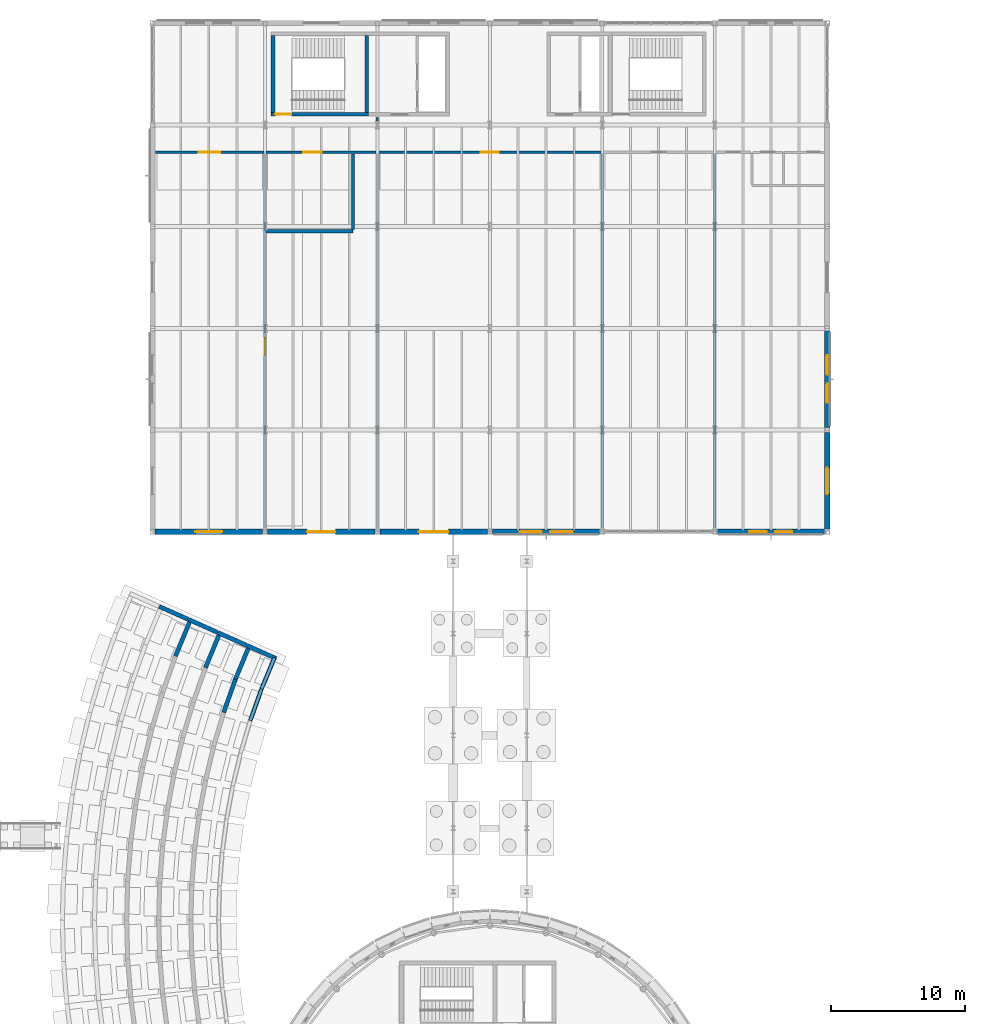
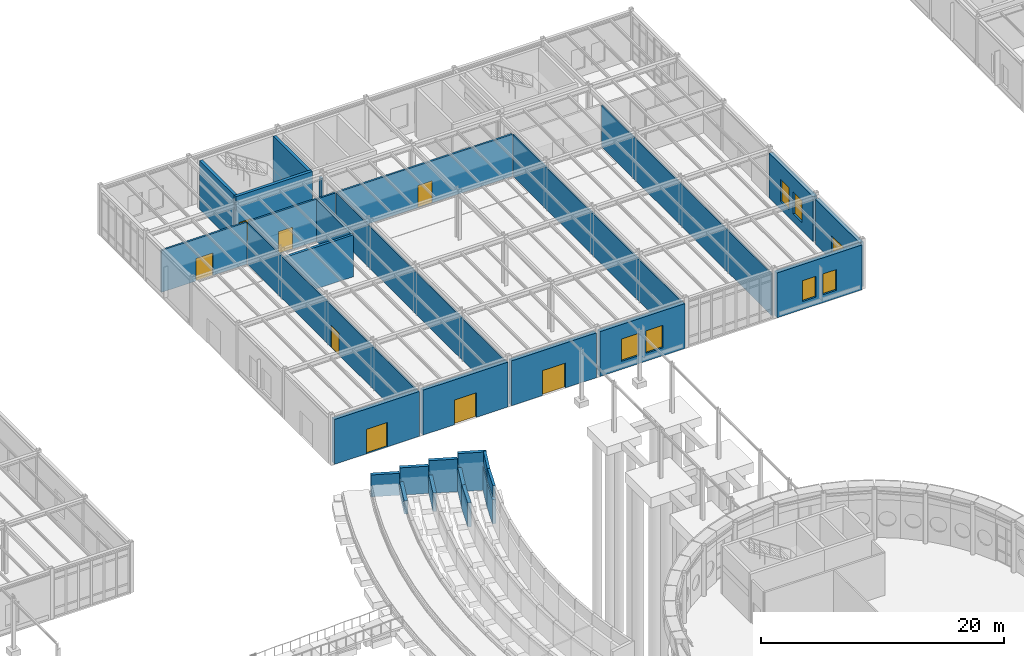
# One storey, part 88 of 109: 32 walls, 9 doors, 6 windows, 15 openings.
"""IFC4 building model written with IfcOpenShell, lengths in metres."""

import ifcopenshell
import ifcopenshell.guid

model = None  # the IFC model being written
_history = None  # IfcOwnerHistory: only IFC2X3 demands one
_inside = {}  # id of a spatial element -> (the spatial element, [elements in it])
_under = {}  # id of a project, library or spatial element -> (it, [spatial elements below it])
_declared = {}  # id of a project -> (the project, [libraries it declares])
_typed = {}  # id of a type object -> (the type object, [elements of that type])
_made_of = {}  # id of a material, layer set ... -> (it, [elements and type objects made of it])


def new_model(schema):
    """Start an empty IFC model of exactly this schema.

    Asked for "IFC4X3", IfcOpenShell would pick the latest addendum, in which some entities
    have other attributes; the version numbers below select the first issue.
    IFC2X3 requires an IfcOwnerHistory on every rooted entity: one is made here for all.
    """
    global model, _history
    if schema == "IFC4X3":
        model = ifcopenshell.file(schema_version=(4, 3, 0, 0))
    else:
        model = ifcopenshell.file(schema=schema)
    _inside.clear()
    _under.clear()
    _declared.clear()
    _typed.clear()
    _made_of.clear()
    _history = None
    if model.schema == "IFC2X3":
        org = make("IfcOrganization", Name="unknown")
        user = make(
            "IfcPersonAndOrganization",
            ThePerson=make("IfcPerson", FamilyName="unknown"),
            TheOrganization=org,
        )
        app = make(
            "IfcApplication",
            ApplicationDeveloper=org,
            Version="unknown",
            ApplicationFullName="unknown",
            ApplicationIdentifier="unknown",
        )
        _history = make(
            "IfcOwnerHistory",
            OwningUser=user,
            OwningApplication=app,
            ChangeAction="ADDED",
            CreationDate=0,
        )
    return model


def make(cls, **values):
    """One entity of the class cls with the attributes given. An attribute that is None is left unset."""
    return model.create_entity(
        cls, **{name: value for name, value in values.items() if value is not None}
    )


def rooted(cls, **values):
    """An entity with a GlobalId (a new one), such as an element, a storey or a relation."""
    return make(cls, GlobalId=ifcopenshell.guid.new(), OwnerHistory=_history, **values)


def si_unit(unit_type, name, prefix=None):
    """IfcSIUnit, for example si_unit("LENGTHUNIT", "METRE", prefix="MILLI")."""
    return make("IfcSIUnit", UnitType=unit_type, Prefix=prefix, Name=name)


def assignment(units):
    """IfcUnitAssignment: the units of a project."""
    return None if units is None else make("IfcUnitAssignment", Units=units)


def point(xyz):
    """IfcCartesianPoint."""
    return None if xyz is None else make("IfcCartesianPoint", Coordinates=xyz)


def direction(xyz):
    """IfcDirection."""
    return None if xyz is None else make("IfcDirection", DirectionRatios=xyz)


def frame(location, z_axis=None, x_axis=None):
    """IfcAxis2Placement3D, a coordinate frame: its origin and axes. An axis left out is left unset."""
    return make(
        "IfcAxis2Placement3D",
        Location=point(location),
        Axis=direction(z_axis),
        RefDirection=direction(x_axis),
    )


def frame_2d(location, x_axis=None):
    """IfcAxis2Placement2D, a coordinate frame in the plane: its origin and x axis."""
    return make(
        "IfcAxis2Placement2D", Location=point(location), RefDirection=direction(x_axis)
    )


def origin():
    """The frame at (0, 0, 0) with its axes left unset."""
    return frame((0.0, 0.0, 0.0))


def place(relative_to, where):
    """IfcLocalPlacement: puts the frame where relative to a parent placement (None: the world)."""
    return make(
        "IfcLocalPlacement", PlacementRelTo=relative_to, RelativePlacement=where
    )


def context(
    kind, dimensions, precision=None, world=None, true_north=None, identifier=None
):
    """IfcGeometricRepresentationContext, for example the 3D "Model" context."""
    return make(
        "IfcGeometricRepresentationContext",
        ContextIdentifier=identifier,
        ContextType=kind,
        CoordinateSpaceDimension=dimensions,
        Precision=precision,
        WorldCoordinateSystem=world,
        TrueNorth=true_north,
    )


def subcontext(parent, identifier, kind, view, scale=None):
    """IfcGeometricRepresentationSubContext, for example "Body" below "Model"."""
    return make(
        "IfcGeometricRepresentationSubContext",
        ContextIdentifier=identifier,
        ContextType=kind,
        ParentContext=parent,
        TargetScale=scale,
        TargetView=view,
    )


def project(units=None, contexts=None):
    """IfcProject with its units and contexts."""
    return rooted(
        "IfcProject",
        Name="project",
        RepresentationContexts=contexts,
        UnitsInContext=assignment(units),
    )


def spatial(cls, under=None, at=None, **own):
    """A site, building, storey or space (cls), placed at a placement, below another one or the project."""
    s = rooted(cls, ObjectPlacement=at, **own)
    if under is not None:
        _under.setdefault(under.id(), (under, []))[1].append(s)
    return s


def profile(cls, at=None, kind="AREA", **sizes):
    """A parametric profile (cls). Its sizes go by their IFC names, for example OverallWidth=200.0."""
    return make(cls, ProfileType=kind, Position=at, **sizes)


def rectangle(**sizes):
    """IfcRectangleProfileDef."""
    return profile("IfcRectangleProfileDef", **sizes)


def extrude(swept, where, along, depth):
    """IfcExtrudedAreaSolid: the profile swept, set in the frame where, extruded along a direction by depth."""
    return make(
        "IfcExtrudedAreaSolid",
        SweptArea=swept,
        Position=where,
        ExtrudedDirection=direction(along),
        Depth=depth,
    )


def shape(context_of_items, identifier, shape_type, items):
    """IfcShapeRepresentation: the items that make up one representation, for example the "Body"."""
    return make(
        "IfcShapeRepresentation",
        ContextOfItems=context_of_items,
        RepresentationIdentifier=identifier,
        RepresentationType=shape_type,
        Items=items,
    )


def material(Name=None, Category=None):
    """IfcMaterial."""
    return make("IfcMaterial", Name=Name, Category=Category)


def layer(
    of_material, thickness, ventilated=None, Name=None, Category=None, Priority=None
):
    """IfcMaterialLayer: one layer of a wall or slab, of a material (None: an air gap)."""
    return make(
        "IfcMaterialLayer",
        Material=of_material,
        LayerThickness=thickness,
        IsVentilated=ventilated,
        Name=Name,
        Category=Category,
        Priority=Priority,
    )


def layer_set(layers, Name=None):
    """IfcMaterialLayerSet."""
    return make("IfcMaterialLayerSet", MaterialLayers=layers, LayerSetName=Name)


def made_of(thing, what):
    """Note that an element or type object is made of a material, layer set ...; save() writes the relation."""
    if what is not None:
        _made_of.setdefault(what.id(), (what, []))[1].append(thing)
    return thing


def type_object(cls, material=None, **own):
    """A type object (cls), such as IfcWallType, which elements share."""
    return made_of(rooted(cls, **own), material)


def element(
    cls,
    number,
    at=None,
    inside=None,
    cuts=None,
    type_object=None,
    material=None,
    context=None,
    identifier="Body",
    shape_type=None,
    held_by="IfcProductDefinitionShape",
    body=None,
    shapes=None,
    **own,
):
    """One element of the class cls, such as IfcWall. Its Tag is "e" and its number.

    at: its placement. inside: the storey or other place that contains it. cuts: it is an
    opening in that element (IfcRelVoidsElement). A single representation is given by context,
    identifier, shape_type and body (its items); several are given by shapes. held_by: the class
    of the entity that holds the representations. save() writes the other relations.
    """
    e = rooted(cls, Tag="e%d" % number, ObjectPlacement=at, **own)
    if body is not None:
        shapes = [shape(context, identifier, shape_type, body)]
    if shapes is not None:
        e.Representation = make(held_by, Representations=shapes)
    if inside is not None:
        _inside.setdefault(inside.id(), (inside, []))[1].append(e)
    if cuts is not None:
        rooted(
            "IfcRelVoidsElement", RelatingBuildingElement=cuts, RelatedOpeningElement=e
        )
    if type_object is not None:
        _typed.setdefault(type_object.id(), (type_object, []))[1].append(e)
    return made_of(e, material)


def fill(opening, filler):
    """IfcRelFillsElement: the door or window that sits in an opening."""
    return rooted(
        "IfcRelFillsElement",
        RelatingOpeningElement=opening,
        RelatedBuildingElement=filler,
    )


def aggregate(whole, parts):
    """IfcRelAggregates: a whole, such as a stair, and the parts it consists of."""
    return rooted("IfcRelAggregates", RelatingObject=whole, RelatedObjects=parts)


def save(model, path):
    """Write the relations noted so far, then the file.

    IfcRelAggregates (storeys below a building ...), IfcRelContainedInSpatialStructure (elements
    in a storey), IfcRelDefinesByType, IfcRelAssociatesMaterial and IfcRelDeclares: one each for
    every whole, place, type object, material and project.
    """
    for whole, parts in _under.values():
        aggregate(whole, parts)
    for where, things in _inside.values():
        rooted(
            "IfcRelContainedInSpatialStructure",
            RelatedElements=things,
            RelatingStructure=where,
        )
    for kind, things in _typed.values():
        rooted("IfcRelDefinesByType", RelatedObjects=things, RelatingType=kind)
    for what, things in _made_of.values():
        rooted("IfcRelAssociatesMaterial", RelatedObjects=things, RelatingMaterial=what)
    for by, libraries in _declared.values():
        rooted("IfcRelDeclares", RelatingContext=by, RelatedDefinitions=libraries)
    model.write(path)


model = new_model("IFC4")

# Units and contexts
model_context = context("Model", 3, precision=1e-05, world=origin(), true_north=direction((0.0, 1.0)))
body_context = subcontext(model_context, "Body", "Model", "MODEL_VIEW")
ifc_project = project(units=[si_unit("LENGTHUNIT", "METRE"), si_unit("AREAUNIT", "SQUARE_METRE"), si_unit("VOLUMEUNIT", "CUBIC_METRE"), si_unit("PLANEANGLEUNIT", "RADIAN"), si_unit("MASSUNIT", "GRAM", prefix="KILO")], contexts=[model_context])

# Site, building, storey
site_placement = place(None, origin())
site = spatial("IfcSite", under=ifc_project, at=site_placement, CompositionType="ELEMENT")
building_placement = place(site_placement, origin())
building = spatial("IfcBuilding", under=site, at=building_placement, Name="Montecoro Central Library", CompositionType="ELEMENT")
storey_placement = place(building_placement, origin())
storey = spatial("IfcBuildingStorey", under=building, at=storey_placement, Name="L00", CompositionType="ELEMENT", Elevation=0.0)

# Walls
ifc_material_1 = material(Name="White Roman travertine stone clad concrete C32/40", Category="masonry")
ifc_layer_1 = layer(ifc_material_1, 0.235107421875)
ifc_layer_set_1 = layer_set([ifc_layer_1], Name="White Roman travertine stone clad concrete C32/40")
wall_type_1 = type_object("IfcWallType", Name="EW-PAR-235", PredefinedType="PARAPET", material=ifc_layer_set_1)
wall_1_placement = place(storey_placement, frame((75.50390625, 71.587890625, 2.699951171875), z_axis=(0.0, 0.0, 1.0), x_axis=(-0.382750955774, -0.923851560508, 0.0)))
element("IfcWall", 1, at=wall_1_placement, inside=storey, type_object=wall_type_1, Name="V1-STEP-IPAR-01", PredefinedType="PARAPET", context=body_context, shape_type="SweptSolid", body=[
    extrude(rectangle(XDim=2.520751953125, YDim=0.235107421875, at=frame_2d((1.26025390625, 0.0))), origin(), (0.0, 0.0, 1.0), 1.1201171875),
])
wall_2_placement = place(storey_placement, frame((74.5390625, 69.259033203125, 2.699951171875), z_axis=(0.0, 0.0, 1.0), x_axis=(-0.333918829273, -0.942601832937, 0.0)))
element("IfcWall", 2, at=wall_2_placement, inside=storey, type_object=wall_type_1, Name="V1-STEP-IPAR-02", PredefinedType="PARAPET", context=body_context, shape_type="SweptSolid", body=[
    extrude(rectangle(XDim=2.521728515625, YDim=0.235107421875, at=frame_2d((1.2607421875, 0.0))), origin(), (0.0, 0.0, 1.0), 1.1201171875),
])

# Wall, opening, door
ifc_material_2 = material(Name="Dark piperno stone clad concrete C35/45", Category="masonry")
ifc_layer_2 = layer(ifc_material_2, 0.385009765625)
ifc_layer_set_2 = layer_set([ifc_layer_2], Name="Dark piperno stone clad concrete C35/45")
wall_type_2 = type_object("IfcWallType", Name="EW-PIP-385", PredefinedType="SOLIDWALL", material=ifc_layer_set_2)
wall_3_placement = place(storey_placement, frame((66.577880859375, 81.0, 0.0), z_axis=(0.0, 0.0, 1.0), x_axis=(1.0, 0.0, 0.0)))
wall_3 = element("IfcWall", 3, at=wall_3_placement, inside=storey, type_object=wall_type_2, Name="V2-L00-EW-S0", PredefinedType="SOLIDWALL", context=body_context, shape_type="SweptSolid", body=[
    extrude(rectangle(XDim=8.044189453125, YDim=0.385009765625, at=frame_2d((4.02197265625, 0.0))), origin(), (0.0, 0.0, 1.0), 4.5),
])
opening_1_placement = place(wall_3_placement, frame((3.02197265625, 0.0, 0.0)))
opening_1 = element("IfcOpeningElement", 4, at=opening_1_placement, cuts=wall_3, Name="Opening ED-03", PredefinedType="OPENING", context=body_context, shape_type="SweptSolid", body=[
    extrude(rectangle(XDim=2.0, YDim=2.449951171875, at=frame_2d((1.0, 1.22509765625))), frame((0.0, 0.202392578125, 0.0), z_axis=(0.0, -1.0, 0.0), x_axis=(1.0, 0.0, 0.0)), (0.0, 0.0, 1.0), 0.405029296875),
])
ifc_material_3 = material(Name="Thermally broken architectural bronze and safety glass", Category="glass")
door_type_1 = type_object("IfcDoorType", Name="ED-EXIT-200", OperationType="NOTDEFINED", PredefinedType="DOOR", material=ifc_material_3)
door_1_placement = place(opening_1_placement, origin())
door_1 = element("IfcDoor", 5, at=door_1_placement, inside=storey, type_object=door_type_1, Name="V2-L00-ED-S0", OperationType="SINGLE_SWING_LEFT", OverallHeight=2.449951171875, OverallWidth=2.0, PredefinedType="DOOR", context=body_context, shape_type="SweptSolid", body=[
    extrude(rectangle(XDim=2.0, YDim=2.449951171875, at=frame_2d((1.0, 1.22509765625))), frame((0.0, 0.02490234375, 0.0), z_axis=(0.0, -1.0, 0.0), x_axis=(1.0, 0.0, 0.0)), (0.0, 0.0, 1.0), 0.050048828125),
])
fill(opening_1, door_1)

wall_4_placement = place(storey_placement, frame((74.97802734375, 81.0, 0.0), z_axis=(0.0, 0.0, 1.0), x_axis=(1.0, 0.0, 0.0)))
wall_4 = element("IfcWall", 6, at=wall_4_placement, inside=storey, type_object=wall_type_2, Name="V2-L00-EW-S1", PredefinedType="SOLIDWALL", context=body_context, shape_type="SweptSolid", body=[
    extrude(rectangle(XDim=8.0439453125, YDim=0.385009765625, at=frame_2d((4.02197265625, 0.0))), origin(), (0.0, 0.0, 1.0), 4.5),
])
opening_2_placement = place(wall_4_placement, frame((2.971923828125, 0.0, 0.0)))
opening_2 = element("IfcOpeningElement", 7, at=opening_2_placement, cuts=wall_4, Name="Opening ED-04", PredefinedType="OPENING", context=body_context, shape_type="SweptSolid", body=[
    extrude(rectangle(XDim=2.10009765625, YDim=2.47998046875, at=frame_2d((1.050048828125, 1.239990234375))), frame((0.0, 0.202392578125, 0.0), z_axis=(0.0, -1.0, 0.0), x_axis=(1.0, 0.0, 0.0)), (0.0, 0.0, 1.0), 0.405029296875),
])
door_type_2 = type_object("IfcDoorType", Name="ED-EXIT-210", OperationType="NOTDEFINED", PredefinedType="DOOR", material=ifc_material_3)
door_2_placement = place(opening_2_placement, origin())
door_2 = element("IfcDoor", 8, at=door_2_placement, inside=storey, type_object=door_type_2, Name="V2-L00-ED-S1", OperationType="SINGLE_SWING_RIGHT", OverallHeight=2.47998046875, OverallWidth=2.10009765625, PredefinedType="DOOR", context=body_context, shape_type="SweptSolid", body=[
    extrude(rectangle(XDim=2.10009765625, YDim=2.47998046875, at=frame_2d((1.050048828125, 1.239990234375))), frame((0.0, 0.02490234375, 0.0), z_axis=(0.0, -1.0, 0.0), x_axis=(1.0, 0.0, 0.0)), (0.0, 0.0, 1.0), 0.050048828125),
])
fill(opening_2, door_2)

wall_5_placement = place(storey_placement, frame((83.3779296875, 81.0, 0.0), z_axis=(0.0, 0.0, 1.0), x_axis=(1.0, 0.0, 0.0)))
wall_5 = element("IfcWall", 9, at=wall_5_placement, inside=storey, type_object=wall_type_2, Name="V2-L00-EW-S2", PredefinedType="SOLIDWALL", context=body_context, shape_type="SweptSolid", body=[
    extrude(rectangle(XDim=8.044189453125, YDim=0.385009765625, at=frame_2d((4.02197265625, 0.0))), origin(), (0.0, 0.0, 1.0), 4.5),
])
opening_3_placement = place(wall_5_placement, frame((2.922119140625, 0.0, 0.0)))
opening_3 = element("IfcOpeningElement", 10, at=opening_3_placement, cuts=wall_5, Name="Opening ED-01", PredefinedType="OPENING", context=body_context, shape_type="SweptSolid", body=[
    extrude(rectangle(XDim=2.199951171875, YDim=2.5, at=frame_2d((1.10009765625, 1.25))), frame((0.0, 0.202392578125, 0.0), z_axis=(0.0, -1.0, 0.0), x_axis=(1.0, 0.0, 0.0)), (0.0, 0.0, 1.0), 0.405029296875),
])
door_type_3 = type_object("IfcDoorType", Name="ED-EXIT-220", OperationType="NOTDEFINED", PredefinedType="DOOR", material=ifc_material_3)
door_3_placement = place(opening_3_placement, origin())
door_3 = element("IfcDoor", 11, at=door_3_placement, inside=storey, type_object=door_type_3, Name="V2-L00-ED-S2", OperationType="SINGLE_SWING_LEFT", OverallHeight=2.5, OverallWidth=2.199951171875, PredefinedType="DOOR", context=body_context, shape_type="SweptSolid", body=[
    extrude(rectangle(XDim=2.199951171875, YDim=2.5, at=frame_2d((1.10009765625, 1.25))), frame((0.0, 0.02490234375, 0.0), z_axis=(0.0, -1.0, 0.0), x_axis=(1.0, 0.0, 0.0)), (0.0, 0.0, 1.0), 0.050048828125),
])
fill(opening_3, door_3)

# Wall, openings, windows
wall_6_placement = place(storey_placement, frame((91.778076171875, 81.0, 0.0), z_axis=(0.0, 0.0, 1.0), x_axis=(1.0, 0.0, 0.0)))
wall_6 = element("IfcWall", 12, at=wall_6_placement, inside=storey, type_object=wall_type_2, Name="V2-L00-EW-S3", PredefinedType="SOLIDWALL", context=body_context, shape_type="SweptSolid", body=[
    extrude(rectangle(XDim=8.0439453125, YDim=0.385009765625, at=frame_2d((4.02197265625, 0.0))), origin(), (0.0, 0.0, 1.0), 4.5),
])
opening_4_placement = place(wall_6_placement, frame((2.047119140625, 0.0, 0.800048828125)))
opening_4 = element("IfcOpeningElement", 13, at=opening_4_placement, cuts=wall_6, Name="Opening WN-09", PredefinedType="OPENING", context=body_context, shape_type="SweptSolid", body=[
    extrude(rectangle(XDim=1.64990234375, YDim=2.25, at=frame_2d((0.824951171875, 1.125))), frame((0.0, 0.202392578125, 0.0), z_axis=(0.0, -1.0, 0.0), x_axis=(1.0, 0.0, 0.0)), (0.0, 0.0, 1.0), 0.405029296875),
])
opening_5_placement = place(wall_6_placement, frame((4.346923828125, 0.0, 0.800048828125)))
opening_5 = element("IfcOpeningElement", 14, at=opening_5_placement, cuts=wall_6, Name="Opening WN-09", PredefinedType="OPENING", context=body_context, shape_type="SweptSolid", body=[
    extrude(rectangle(XDim=1.64990234375, YDim=2.25, at=frame_2d((0.824951171875, 1.125))), frame((0.0, 0.202392578125, 0.0), z_axis=(0.0, -1.0, 0.0), x_axis=(1.0, 0.0, 0.0)), (0.0, 0.0, 1.0), 0.405029296875),
])
ifc_material_4 = material(Name="Laminated low-E double glazing", Category="glass")
window_type_1 = type_object("IfcWindowType", Name="WN-RDG-165", PartitioningType="SINGLE_PANEL", PredefinedType="WINDOW", material=ifc_material_4)
window_1_placement = place(opening_4_placement, origin())
window_1 = element("IfcWindow", 15, at=window_1_placement, inside=storey, type_object=window_type_1, Name="V2-L00-WN-S3-1", OverallHeight=2.25, OverallWidth=1.64990234375, PartitioningType="SINGLE_PANEL", PredefinedType="WINDOW", context=body_context, shape_type="SweptSolid", body=[
    extrude(rectangle(XDim=1.64990234375, YDim=2.25, at=frame_2d((0.824951171875, 1.125))), frame((0.0, 0.030029296875, 0.0), z_axis=(0.0, -1.0, 0.0), x_axis=(1.0, 0.0, 0.0)), (0.0, 0.0, 1.0), 0.06005859375),
])
fill(opening_4, window_1)
window_2_placement = place(opening_5_placement, origin())
window_2 = element("IfcWindow", 16, at=window_2_placement, inside=storey, type_object=window_type_1, Name="V2-L00-WN-S3-2", OverallHeight=2.25, OverallWidth=1.64990234375, PartitioningType="SINGLE_PANEL", PredefinedType="WINDOW", context=body_context, shape_type="SweptSolid", body=[
    extrude(rectangle(XDim=1.64990234375, YDim=2.25, at=frame_2d((0.824951171875, 1.125))), frame((0.0, 0.030029296875, 0.0), z_axis=(0.0, -1.0, 0.0), x_axis=(1.0, 0.0, 0.0)), (0.0, 0.0, 1.0), 0.06005859375),
])
fill(opening_5, window_2)

wall_7_placement = place(storey_placement, frame((108.577880859375, 81.0, 0.0), z_axis=(0.0, 0.0, 1.0), x_axis=(1.0, 0.0, 0.0)))
wall_7 = element("IfcWall", 17, at=wall_7_placement, inside=storey, type_object=wall_type_2, Name="V2-L00-EW-S5", PredefinedType="SOLIDWALL", context=body_context, shape_type="SweptSolid", body=[
    extrude(rectangle(XDim=8.044189453125, YDim=0.385009765625, at=frame_2d((4.02197265625, 0.0))), origin(), (0.0, 0.0, 1.0), 4.5),
])
opening_6_placement = place(wall_7_placement, frame((2.4169921875, 0.0, 0.800048828125)))
opening_6 = element("IfcOpeningElement", 18, at=opening_6_placement, cuts=wall_7, Name="Opening WN-23", PredefinedType="OPENING", context=body_context, shape_type="SweptSolid", body=[
    extrude(rectangle(XDim=1.280029296875, YDim=2.080078125, at=frame_2d((0.64013671875, 1.0400390625))), frame((0.0, 0.202392578125, 0.0), z_axis=(0.0, -1.0, 0.0), x_axis=(1.0, 0.0, 0.0)), (0.0, 0.0, 1.0), 0.405029296875),
])
opening_7_placement = place(wall_7_placement, frame((4.346923828125, 0.0, 0.800048828125)))
opening_7 = element("IfcOpeningElement", 19, at=opening_7_placement, cuts=wall_7, Name="Opening WN-23", PredefinedType="OPENING", context=body_context, shape_type="SweptSolid", body=[
    extrude(rectangle(XDim=1.280029296875, YDim=2.080078125, at=frame_2d((0.64013671875, 1.0400390625))), frame((0.0, 0.202392578125, 0.0), z_axis=(0.0, -1.0, 0.0), x_axis=(1.0, 0.0, 0.0)), (0.0, 0.0, 1.0), 0.405029296875),
])
window_type_2 = type_object("IfcWindowType", Name="WN-RDG-128", PartitioningType="SINGLE_PANEL", PredefinedType="WINDOW", material=ifc_material_4)
window_3_placement = place(opening_6_placement, origin())
window_3 = element("IfcWindow", 20, at=window_3_placement, inside=storey, type_object=window_type_2, Name="V2-L00-WN-S5-1", OverallHeight=2.080078125, OverallWidth=1.280029296875, PartitioningType="SINGLE_PANEL", PredefinedType="WINDOW", context=body_context, shape_type="SweptSolid", body=[
    extrude(rectangle(XDim=1.280029296875, YDim=2.080078125, at=frame_2d((0.64013671875, 1.0400390625))), frame((0.0, 0.030029296875, 0.0), z_axis=(0.0, -1.0, 0.0), x_axis=(1.0, 0.0, 0.0)), (0.0, 0.0, 1.0), 0.06005859375),
])
fill(opening_6, window_3)
window_4_placement = place(opening_7_placement, origin())
window_4 = element("IfcWindow", 21, at=window_4_placement, inside=storey, type_object=window_type_2, Name="V2-L00-WN-S5-2", OverallHeight=2.080078125, OverallWidth=1.280029296875, PartitioningType="SINGLE_PANEL", PredefinedType="WINDOW", context=body_context, shape_type="SweptSolid", body=[
    extrude(rectangle(XDim=1.280029296875, YDim=2.080078125, at=frame_2d((0.64013671875, 1.0400390625))), frame((0.0, 0.030029296875, 0.0), z_axis=(0.0, -1.0, 0.0), x_axis=(1.0, 0.0, 0.0)), (0.0, 0.0, 1.0), 0.06005859375),
])
fill(opening_7, window_4)

# Wall, opening, door
wall_8_placement = place(storey_placement, frame((116.800048828125, 81.177978515625, 0.0), z_axis=(0.0, 0.0, 1.0), x_axis=(0.0, 1.0, 0.0)))
wall_8 = element("IfcWall", 22, at=wall_8_placement, inside=storey, type_object=wall_type_2, Name="V2-L00-EW-E0", PredefinedType="SOLIDWALL", context=body_context, shape_type="SweptSolid", body=[
    extrude(rectangle(XDim=7.244140625, YDim=0.385009765625, at=frame_2d((3.6220703125, 0.0))), origin(), (0.0, 0.0, 1.0), 4.5),
])
opening_8_placement = place(wall_8_placement, frame((2.6220703125, 0.0, 0.0)))
opening_8 = element("IfcOpeningElement", 23, at=opening_8_placement, cuts=wall_8, Name="Opening ED-03", PredefinedType="OPENING", context=body_context, shape_type="SweptSolid", body=[
    extrude(rectangle(XDim=2.0, YDim=2.449951171875, at=frame_2d((1.0, 1.22509765625))), frame((0.0, 0.202392578125, 0.0), z_axis=(0.0, -1.0, 0.0), x_axis=(1.0, 0.0, 0.0)), (0.0, 0.0, 1.0), 0.405029296875),
])
door_4_placement = place(opening_8_placement, origin())
door_4 = element("IfcDoor", 24, at=door_4_placement, inside=storey, type_object=door_type_1, Name="V2-L00-ED-E0", OperationType="SINGLE_SWING_RIGHT", OverallHeight=2.449951171875, OverallWidth=2.0, PredefinedType="DOOR", context=body_context, shape_type="SweptSolid", body=[
    extrude(rectangle(XDim=2.0, YDim=2.449951171875, at=frame_2d((1.0, 1.22509765625))), frame((0.0, 0.02490234375, 0.0), z_axis=(0.0, -1.0, 0.0), x_axis=(1.0, 0.0, 0.0)), (0.0, 0.0, 1.0), 0.050048828125),
])
fill(opening_8, door_4)

# Wall, openings, windows
wall_9_placement = place(storey_placement, frame((116.800048828125, 88.778076171875, 0.0), z_axis=(0.0, 0.0, 1.0), x_axis=(0.0, 1.0, 0.0)))
wall_9 = element("IfcWall", 25, at=wall_9_placement, inside=storey, type_object=wall_type_2, Name="V2-L00-EW-E1", PredefinedType="SOLIDWALL", context=body_context, shape_type="SweptSolid", body=[
    extrude(rectangle(XDim=7.243896484375, YDim=0.385009765625, at=frame_2d((3.6220703125, 0.0))), origin(), (0.0, 0.0, 1.0), 4.5),
])
opening_9_placement = place(wall_9_placement, frame((1.846923828125, 0.0, 0.800048828125)))
opening_9 = element("IfcOpeningElement", 26, at=opening_9_placement, cuts=wall_9, Name="Opening WN-07", PredefinedType="OPENING", context=body_context, shape_type="SweptSolid", body=[
    extrude(rectangle(XDim=1.449951171875, YDim=2.199951171875, at=frame_2d((0.72509765625, 1.10009765625))), frame((0.0, 0.202392578125, 0.0), z_axis=(0.0, -1.0, 0.0), x_axis=(1.0, 0.0, 0.0)), (0.0, 0.0, 1.0), 0.405029296875),
])
opening_10_placement = place(wall_9_placement, frame((3.947021484375, 0.0, 0.800048828125)))
opening_10 = element("IfcOpeningElement", 27, at=opening_10_placement, cuts=wall_9, Name="Opening WN-07", PredefinedType="OPENING", context=body_context, shape_type="SweptSolid", body=[
    extrude(rectangle(XDim=1.449951171875, YDim=2.199951171875, at=frame_2d((0.72509765625, 1.10009765625))), frame((0.0, 0.202392578125, 0.0), z_axis=(0.0, -1.0, 0.0), x_axis=(1.0, 0.0, 0.0)), (0.0, 0.0, 1.0), 0.405029296875),
])
window_type_3 = type_object("IfcWindowType", Name="WN-RDG-145", PartitioningType="SINGLE_PANEL", PredefinedType="WINDOW", material=ifc_material_4)
window_5_placement = place(opening_9_placement, origin())
window_5 = element("IfcWindow", 28, at=window_5_placement, inside=storey, type_object=window_type_3, Name="V2-L00-WN-E1-1", OverallHeight=2.199951171875, OverallWidth=1.449951171875, PartitioningType="SINGLE_PANEL", PredefinedType="WINDOW", context=body_context, shape_type="SweptSolid", body=[
    extrude(rectangle(XDim=1.449951171875, YDim=2.199951171875, at=frame_2d((0.72509765625, 1.10009765625))), frame((0.0, 0.030029296875, 0.0), z_axis=(0.0, -1.0, 0.0), x_axis=(1.0, 0.0, 0.0)), (0.0, 0.0, 1.0), 0.06005859375),
])
fill(opening_9, window_5)
window_6_placement = place(opening_10_placement, origin())
window_6 = element("IfcWindow", 29, at=window_6_placement, inside=storey, type_object=window_type_3, Name="V2-L00-WN-E1-2", OverallHeight=2.199951171875, OverallWidth=1.449951171875, PartitioningType="SINGLE_PANEL", PredefinedType="WINDOW", context=body_context, shape_type="SweptSolid", body=[
    extrude(rectangle(XDim=1.449951171875, YDim=2.199951171875, at=frame_2d((0.72509765625, 1.10009765625))), frame((0.0, 0.030029296875, 0.0), z_axis=(0.0, -1.0, 0.0), x_axis=(1.0, 0.0, 0.0)), (0.0, 0.0, 1.0), 0.06005859375),
])
fill(opening_10, window_6)

# Walls
ifc_material_5 = material(Name="Roman travertine stone clad concrete C35/45", Category="masonry")
ifc_layer_3 = layer(ifc_material_5, 0.31005859375)
ifc_layer_set_3 = layer_set([ifc_layer_3], Name="Roman travertine stone clad concrete C35/45")
wall_type_3 = type_object("IfcWallType", Name="EW-TRV-LB-310", PredefinedType="SOLIDWALL", material=ifc_layer_set_3)
wall_10_placement = place(storey_placement, frame((69.053955078125, 74.4599609375, 0.0), z_axis=(0.0, 0.0, 1.0), x_axis=(-0.913538328028, 0.406752656076, 0.0)))
element("IfcWall", 30, at=wall_10_placement, inside=storey, type_object=wall_type_3, Name="V1-STEP-CHK-02-N", PredefinedType="SOLIDWALL", context=body_context, shape_type="SweptSolid", body=[
    extrude(rectangle(XDim=2.360107421875, YDim=0.31005859375, at=frame_2d((1.18017578125, 0.0))), origin(), (0.0, 0.0, 1.0), 2.199951171875),
])
wall_11_placement = place(storey_placement, frame((69.22705078125, 74.405029296875, 0.0), z_axis=(0.0, 0.0, 1.0), x_axis=(-0.382745422549, -0.9238538529, 0.0)))
element("IfcWall", 31, at=wall_11_placement, inside=storey, type_object=wall_type_3, Name="Stepped Terrace Retaining Wall 3", PredefinedType="SOLIDWALL", context=body_context, shape_type="SweptSolid", body=[
    extrude(rectangle(XDim=2.92138671875, YDim=0.31005859375, at=frame_2d((1.460693359375, 0.0))), origin(), (0.0, 0.0, 1.0), 1.340087890625),
])
wall_12_placement = place(storey_placement, frame((71.2470703125, 73.48388671875, 0.0), z_axis=(0.0, 0.0, 1.0), x_axis=(-0.913499886391, 0.406838982355, 0.0)))
element("IfcWall", 32, at=wall_12_placement, inside=storey, type_object=wall_type_3, Name="V1-STEP-CHK-03-N", PredefinedType="SOLIDWALL", context=body_context, shape_type="SweptSolid", body=[
    extrude(rectangle(XDim=2.360107421875, YDim=0.31005859375, at=frame_2d((1.18017578125, 0.0))), origin(), (0.0, 0.0, 1.0), 2.739990234375),
])
wall_13_placement = place(storey_placement, frame((71.4189453125, 73.428955078125, 0.0), z_axis=(0.0, 0.0, 1.0), x_axis=(-0.382655146539, -0.923891248377, 0.0)))
element("IfcWall", 33, at=wall_13_placement, inside=storey, type_object=wall_type_3, Name="Stepped Terrace Retaining Wall 4", PredefinedType="SOLIDWALL", context=body_context, shape_type="SweptSolid", body=[
    extrude(rectangle(XDim=2.7958984375, YDim=0.31005859375, at=frame_2d((1.39794921875, 0.0))), origin(), (0.0, 0.0, 1.0), 1.860107421875),
])
wall_14_placement = place(storey_placement, frame((73.43896484375, 72.508056640625, 0.0), z_axis=(0.0, 0.0, 1.0), x_axis=(-0.913538328028, 0.406752656076, 0.0)))
element("IfcWall", 34, at=wall_14_placement, inside=storey, type_object=wall_type_3, Name="V1-STEP-CHK-04-N", PredefinedType="SOLIDWALL", context=body_context, shape_type="SweptSolid", body=[
    extrude(rectangle(XDim=2.360107421875, YDim=0.31005859375, at=frame_2d((1.18017578125, 0.0))), origin(), (0.0, 0.0, 1.0), 3.280029296875),
])
wall_15_placement = place(storey_placement, frame((73.612060546875, 72.452880859375, 0.0), z_axis=(0.0, 0.0, 1.0), x_axis=(-0.382744787218, -0.923854116112, 0.0)))
element("IfcWall", 35, at=wall_15_placement, inside=storey, type_object=wall_type_3, Name="Stepped Terrace Retaining Wall 5", PredefinedType="SOLIDWALL", context=body_context, shape_type="SweptSolid", body=[
    extrude(rectangle(XDim=2.670166015625, YDim=0.31005859375, at=frame_2d((1.3349609375, 0.0))), origin(), (0.0, 0.0, 1.0), 2.419921875),
])
wall_16_placement = place(storey_placement, frame((72.60400390625, 70.02294921875, 0.0), z_axis=(0.0, 0.0, 1.0), x_axis=(-0.333757428293, -0.942658994048, 0.0)))
element("IfcWall", 36, at=wall_16_placement, inside=storey, type_object=wall_type_3, Name="Stepped Terrace Retaining Wall 5", PredefinedType="SOLIDWALL", context=body_context, shape_type="SweptSolid", body=[
    extrude(rectangle(XDim=2.669921875, YDim=0.31005859375, at=frame_2d((1.3349609375, 0.0))), origin(), (0.0, 0.0, 1.0), 2.419921875),
])
wall_17_placement = place(storey_placement, frame((75.50390625, 71.587890625, 0.0), z_axis=(0.0, 0.0, 1.0), x_axis=(-0.382750955774, -0.923851560508, 0.0)))
element("IfcWall", 37, at=wall_17_placement, inside=storey, type_object=wall_type_3, Name="Stepped Terrace Inner Retaining Wall", PredefinedType="SOLIDWALL", context=body_context, shape_type="SweptSolid", body=[
    extrude(rectangle(XDim=2.520751953125, YDim=0.31005859375, at=frame_2d((1.26025390625, 0.0))), origin(), (0.0, 0.0, 1.0), 2.419921875),
])
wall_18_placement = place(storey_placement, frame((74.5390625, 69.259033203125, 0.0), z_axis=(0.0, 0.0, 1.0), x_axis=(-0.333918829273, -0.942601832937, 0.0)))
element("IfcWall", 38, at=wall_18_placement, inside=storey, type_object=wall_type_3, Name="Stepped Terrace Inner Retaining Wall", PredefinedType="SOLIDWALL", context=body_context, shape_type="SweptSolid", body=[
    extrude(rectangle(XDim=2.521728515625, YDim=0.31005859375, at=frame_2d((1.2607421875, 0.0))), origin(), (0.0, 0.0, 1.0), 2.419921875),
])
wall_19_placement = place(storey_placement, frame((75.632080078125, 71.531005859375, 0.0), z_axis=(0.0, 0.0, 1.0), x_axis=(-0.913538328028, 0.406752656076, 0.0)))
element("IfcWall", 39, at=wall_19_placement, inside=storey, type_object=wall_type_3, Name="V1-STEP-CHK-05-N", PredefinedType="SOLIDWALL", context=body_context, shape_type="SweptSolid", body=[
    extrude(rectangle(XDim=2.360107421875, YDim=0.31005859375, at=frame_2d((1.18017578125, 0.0))), origin(), (0.0, 0.0, 1.0), 3.820068359375),
])

# Wall, opening, door
ifc_material_6 = material(Name="Gypsum fire-rated partition")
ifc_layer_4 = layer(ifc_material_6, 0.179931640625)
ifc_layer_set_4 = layer_set([ifc_layer_4], Name="Gypsum fire-rated partition")
wall_type_4 = type_object("IfcWallType", Name="IW-COR-180", PredefinedType="PARTITIONING", material=ifc_layer_set_4)
wall_20_placement = place(storey_placement, frame((66.60009765625, 109.35009765625, 0.0), z_axis=(0.0, 0.0, 1.0), x_axis=(1.0, 0.0, 0.0)))
wall_20 = element("IfcWall", 40, at=wall_20_placement, inside=storey, type_object=wall_type_4, Name="CORW-V2-L00-01", PredefinedType="PARTITIONING", context=body_context, shape_type="SweptSolid", body=[
    extrude(rectangle(XDim=8.10986328125, YDim=0.179931640625, at=frame_2d((4.054931640625, 0.0))), origin(), (0.0, 0.0, 1.0), 4.199951171875),
])
opening_11_placement = place(wall_20_placement, frame((3.2548828125, 0.0, 0.0)))
opening_11 = element("IfcOpeningElement", 41, at=opening_11_placement, cuts=wall_20, Name="Opening ID-06", PredefinedType="OPENING", context=body_context, shape_type="SweptSolid", body=[
    extrude(rectangle(XDim=1.60009765625, YDim=2.25, at=frame_2d((0.800048828125, 1.125))), frame((0.0, 0.099853515625, 0.0), z_axis=(0.0, -1.0, 0.0), x_axis=(1.0, 0.0, 0.0)), (0.0, 0.0, 1.0), 0.199951171875),
])
ifc_material_7 = material(Name="Solid oak and fire-rated steel door", Category="steel")
door_type_4 = type_object("IfcDoorType", Name="ID-COR-160", OperationType="NOTDEFINED", PredefinedType="DOOR", material=ifc_material_7)
door_5_placement = place(opening_11_placement, origin())
door_5 = element("IfcDoor", 42, at=door_5_placement, inside=storey, type_object=door_type_4, Name="DR-SP-V2-L00-R1P1", OperationType="DOUBLE_DOOR_SINGLE_SWING", OverallHeight=2.25, OverallWidth=1.60009765625, PredefinedType="DOOR", context=body_context, shape_type="SweptSolid", body=[
    extrude(rectangle(XDim=1.60009765625, YDim=2.25, at=frame_2d((0.800048828125, 1.125))), frame((0.0, 0.02490234375, 0.0), z_axis=(0.0, -1.0, 0.0), x_axis=(1.0, 0.0, 0.0)), (0.0, 0.0, 1.0), 0.050048828125),
])
fill(opening_11, door_5)

wall_21_placement = place(storey_placement, frame((74.889892578125, 109.35009765625, 0.0), z_axis=(0.0, 0.0, 1.0), x_axis=(1.0, 0.0, 0.0)))
wall_21 = element("IfcWall", 43, at=wall_21_placement, inside=storey, type_object=wall_type_4, Name="CORW-V2-L00-02", PredefinedType="PARTITIONING", context=body_context, shape_type="SweptSolid", body=[
    extrude(rectangle(XDim=8.22021484375, YDim=0.179931640625, at=frame_2d((4.110107421875, 0.0))), origin(), (0.0, 0.0, 1.0), 4.199951171875),
])
opening_12_placement = place(wall_21_placement, frame((2.783935546875, 0.0, 0.0)))
opening_12 = element("IfcOpeningElement", 44, at=opening_12_placement, cuts=wall_21, Name="Opening ID-05", PredefinedType="OPENING", context=body_context, shape_type="SweptSolid", body=[
    extrude(rectangle(XDim=1.360107421875, YDim=2.199951171875, at=frame_2d((0.68017578125, 1.10009765625))), frame((0.0, 0.099853515625, 0.0), z_axis=(0.0, -1.0, 0.0), x_axis=(1.0, 0.0, 0.0)), (0.0, 0.0, 1.0), 0.199951171875),
])
door_type_5 = type_object("IfcDoorType", Name="ID-VLT-136", OperationType="NOTDEFINED", PredefinedType="DOOR", material=ifc_material_7)
door_6_placement = place(opening_12_placement, origin())
door_6 = element("IfcDoor", 45, at=door_6_placement, inside=storey, type_object=door_type_5, Name="DR-SP-V2-L00-FCR", OperationType="SINGLE_SWING_LEFT", OverallHeight=2.199951171875, OverallWidth=1.360107421875, PredefinedType="DOOR", context=body_context, shape_type="SweptSolid", body=[
    extrude(rectangle(XDim=1.360107421875, YDim=2.199951171875, at=frame_2d((0.68017578125, 1.10009765625))), frame((0.0, 0.02490234375, 0.0), z_axis=(0.0, -1.0, 0.0), x_axis=(1.0, 0.0, 0.0)), (0.0, 0.0, 1.0), 0.050048828125),
])
fill(opening_12, door_6)

wall_22_placement = place(storey_placement, frame((83.2900390625, 109.35009765625, 0.0), z_axis=(0.0, 0.0, 1.0), x_axis=(1.0, 0.0, 0.0)))
wall_22 = element("IfcWall", 46, at=wall_22_placement, inside=storey, type_object=wall_type_4, Name="CORW-V2-L00-03", PredefinedType="PARTITIONING", context=body_context, shape_type="SweptSolid", body=[
    extrude(rectangle(XDim=16.619873046875, YDim=0.179931640625, at=frame_2d((8.31005859375, 0.0))), origin(), (0.0, 0.0, 1.0), 4.199951171875),
])
opening_13_placement = place(wall_22_placement, frame((7.6298828125, 0.0, 0.0)))
opening_13 = element("IfcOpeningElement", 47, at=opening_13_placement, cuts=wall_22, Name="Opening ID-05", PredefinedType="OPENING", context=body_context, shape_type="SweptSolid", body=[
    extrude(rectangle(XDim=1.360107421875, YDim=2.199951171875, at=frame_2d((0.68017578125, 1.10009765625))), frame((0.0, 0.099853515625, 0.0), z_axis=(0.0, -1.0, 0.0), x_axis=(1.0, 0.0, 0.0)), (0.0, 0.0, 1.0), 0.199951171875),
])
door_7_placement = place(opening_13_placement, origin())
door_7 = element("IfcDoor", 48, at=door_7_placement, inside=storey, type_object=door_type_5, Name="DR-SP-V2-L00-R3P1", OperationType="SINGLE_SWING_LEFT", OverallHeight=2.199951171875, OverallWidth=1.360107421875, PredefinedType="DOOR", context=body_context, shape_type="SweptSolid", body=[
    extrude(rectangle(XDim=1.360107421875, YDim=2.199951171875, at=frame_2d((0.68017578125, 1.10009765625))), frame((0.0, 0.02490234375, 0.0), z_axis=(0.0, -1.0, 0.0), x_axis=(1.0, 0.0, 0.0)), (0.0, 0.0, 1.0), 0.050048828125),
])
fill(opening_13, door_7)

# Walls
wall_23_placement = place(storey_placement, frame((83.199951171875, 111.639892578125, 0.0), z_axis=(0.0, 0.0, 1.0), x_axis=(0.0, 1.0, 0.0)))
element("IfcWall", 49, at=wall_23_placement, inside=storey, type_object=wall_type_4, Name="PIL-V2-L00-1", PredefinedType="PARTITIONING", context=body_context, shape_type="SweptSolid", body=[
    extrude(rectangle(XDim=0.320068359375, YDim=0.179931640625, at=frame_2d((0.16015625, 0.0))), origin(), (0.0, 0.0, 1.0), 4.199951171875),
])
ifc_material_8 = material(Name="Gypsum metal-stud partition")
ifc_layer_5 = layer(ifc_material_8, 0.1201171875)
ifc_layer_set_5 = layer_set([ifc_layer_5], Name="Gypsum metal-stud partition")
wall_type_5 = type_object("IfcWallType", Name="IW-PRT-120", PredefinedType="PARTITIONING", material=ifc_layer_set_5)
for number, where, z_axis, x_axis, name in (
    (50, (83.199951171875, 81.320068359375, 0.0), (0.0, 0.0, 1.0), (0.0, 1.0, 0.0), "DIVW-V2-L00-02-1"),
    (51, (108.39990234375, 81.320068359375, 0.0), (0.0, 0.0, 1.0), (0.0, 1.0, 0.0), "DIVW-V2-L00-04-1"),
):
    element("IfcWall", number, at=place(storey_placement, frame(where, z_axis=z_axis, x_axis=x_axis)), inside=storey, type_object=wall_type_5, Name=name, PredefinedType="PARTITIONING", context=body_context, shape_type="SweptSolid", body=[
        extrude(rectangle(XDim=27.93994140625, YDim=0.1201171875, at=frame_2d((13.969970703125, 0.0))), origin(), (0.0, 0.0, 1.0), 4.199951171875),
    ])

# Wall, opening, door
ifc_layer_6 = layer(ifc_material_8, 0.139892578125)
ifc_layer_set_6 = layer_set([ifc_layer_6], Name="Gypsum metal-stud partition")
wall_type_6 = type_object("IfcWallType", Name="IW-PRT-140", PredefinedType="PARTITIONING", material=ifc_layer_set_6)
wall_24_placement = place(storey_placement, frame((74.800048828125, 81.320068359375, 0.0), z_axis=(0.0, 0.0, 1.0), x_axis=(0.0, 1.0, 0.0)))
wall_24 = element("IfcWall", 52, at=wall_24_placement, inside=storey, type_object=wall_type_6, Name="DIVW-V2-L00-01-1", PredefinedType="PARTITIONING", context=body_context, shape_type="SweptSolid", body=[
    extrude(rectangle(XDim=27.93994140625, YDim=0.139892578125, at=frame_2d((13.969970703125, 0.0))), origin(), (0.0, 0.0, 1.0), 4.199951171875),
])
opening_14_placement = place(wall_24_placement, frame((12.889892578125, 0.0, 0.0)))
opening_14 = element("IfcOpeningElement", 53, at=opening_14_placement, cuts=wall_24, Name="Opening ID-09", PredefinedType="OPENING", context=body_context, shape_type="SweptSolid", body=[
    extrude(rectangle(XDim=1.260009765625, YDim=2.199951171875, at=frame_2d((0.6298828125, 1.10009765625))), frame((0.0, 0.079833984375, 0.0), z_axis=(0.0, -1.0, 0.0), x_axis=(1.0, 0.0, 0.0)), (0.0, 0.0, 1.0), 0.159912109375),
])
door_type_6 = type_object("IfcDoorType", Name="ID-RDG-126", OperationType="NOTDEFINED", PredefinedType="DOOR", material=ifc_material_7)
door_8_placement = place(opening_14_placement, origin())
door_8 = element("IfcDoor", 54, at=door_8_placement, inside=storey, type_object=door_type_6, Name="DR-SP-V2-L00-R2B1", OperationType="SINGLE_SWING_RIGHT", OverallHeight=2.199951171875, OverallWidth=1.260009765625, PredefinedType="DOOR", context=body_context, shape_type="SweptSolid", body=[
    extrude(rectangle(XDim=1.260009765625, YDim=2.199951171875, at=frame_2d((0.6298828125, 1.10009765625))), frame((0.0, 0.02490234375, 0.0), z_axis=(0.0, -1.0, 0.0), x_axis=(1.0, 0.0, 0.0)), (0.0, 0.0, 1.0), 0.050048828125),
])
fill(opening_14, door_8)

# Wall
wall_25_placement = place(storey_placement, frame((100.0, 81.320068359375, 0.0), z_axis=(0.0, 0.0, 1.0), x_axis=(0.0, 1.0, 0.0)))
element("IfcWall", 55, at=wall_25_placement, inside=storey, type_object=wall_type_6, Name="DIVW-V2-L00-03-1", PredefinedType="PARTITIONING", context=body_context, shape_type="SweptSolid", body=[
    extrude(rectangle(XDim=27.93994140625, YDim=0.139892578125, at=frame_2d((13.969970703125, 0.0))), origin(), (0.0, 0.0, 1.0), 4.199951171875),
])

# Wall, opening, door
ifc_material_9 = material(Name="Concrete C35/45", Category="concrete")
ifc_layer_7 = layer(ifc_material_9, 0.280029296875)
ifc_layer_set_7 = layer_set([ifc_layer_7], Name="Concrete C35/45")
wall_type_7 = type_object("IfcWallType", Name="IW-SHR-280", PredefinedType="SHEAR", material=ifc_layer_set_7)
wall_26_placement = place(storey_placement, frame((75.260009765625, 112.199951171875, 0.0), z_axis=(0.0, 0.0, 1.0), x_axis=(1.0, 0.0, 0.0)))
wall_26 = element("IfcWall", 56, at=wall_26_placement, inside=storey, type_object=wall_type_7, Name="C2-L00-WS", PredefinedType="SHEAR", context=body_context, shape_type="SweptSolid", body=[
    extrude(rectangle(XDim=7.280029296875, YDim=0.280029296875, at=frame_2d((3.64013671875, 0.0))), origin(), (0.0, 0.0, 1.0), 4.864990234375),
])
opening_15_placement = place(wall_26_placement, frame((0.320068359375, 0.0, 0.0)))
opening_15 = element("IfcOpeningElement", 57, at=opening_15_placement, cuts=wall_26, Name="Opening ID-02", PredefinedType="OPENING", context=body_context, shape_type="SweptSolid", body=[
    extrude(rectangle(XDim=1.179931640625, YDim=2.179931640625, at=frame_2d((0.58984375, 1.08984375))), frame((0.0, 0.14990234375, 0.0), z_axis=(0.0, -1.0, 0.0), x_axis=(1.0, 0.0, 0.0)), (0.0, 0.0, 1.0), 0.300048828125),
])
door_type_7 = type_object("IfcDoorType", Name="ID-STR-135", OperationType="NOTDEFINED", PredefinedType="DOOR", material=ifc_material_7)
door_9_placement = place(opening_15_placement, origin())
door_9 = element("IfcDoor", 58, at=door_9_placement, inside=storey, type_object=door_type_7, Name="C2-L00-DSTR", OperationType="SINGLE_SWING_RIGHT", OverallHeight=2.179931640625, OverallWidth=1.179931640625, PredefinedType="DOOR", context=body_context, shape_type="SweptSolid", body=[
    extrude(rectangle(XDim=1.179931640625, YDim=2.179931640625, at=frame_2d((0.58984375, 1.08984375))), frame((0.0, 0.02490234375, 0.0), z_axis=(0.0, -1.0, 0.0), x_axis=(1.0, 0.0, 0.0)), (0.0, 0.0, 1.0), 0.050048828125),
])
fill(opening_15, door_9)

# Walls
for number, where, z_axis, x_axis, name in (
    (59, (75.39990234375, 112.340087890625, 0.0), (0.0, 0.0, 1.0), (0.0, 1.0, 0.0), "C2-L00-WW"),
    (60, (82.39990234375, 112.340087890625, 0.0), (0.0, 0.0, 1.0), (0.0, 1.0, 0.0), "C2-L00-WE"),
):
    element("IfcWall", number, at=place(storey_placement, frame(where, z_axis=z_axis, x_axis=x_axis)), inside=storey, type_object=wall_type_7, Name=name, PredefinedType="SHEAR", context=body_context, shape_type="SweptSolid", body=[
        extrude(rectangle(XDim=5.719970703125, YDim=0.280029296875, at=frame_2d((2.85986328125, 0.0))), origin(), (0.0, 0.0, 1.0), 4.864990234375),
    ])
ifc_material_10 = material(Name="Concrete C32/40", Category="concrete")
ifc_layer_8 = layer(ifc_material_10, 0.239990234375)
ifc_layer_set_8 = layer_set([ifc_layer_8], Name="Concrete C32/40")
wall_type_8 = type_object("IfcWallType", Name="IW-VLT-240", PredefinedType="SOLIDWALL", material=ifc_layer_set_8)
wall_27_placement = place(storey_placement, frame((74.8798828125, 103.449951171875, 0.0), z_axis=(0.0, 0.0, 1.0), x_axis=(1.0, 0.0, 0.0)))
element("IfcWall", 61, at=wall_27_placement, inside=storey, type_object=wall_type_8, Name="FCR-V2-L00-WS", PredefinedType="SOLIDWALL", context=body_context, shape_type="SweptSolid", body=[
    extrude(rectangle(XDim=6.5, YDim=0.239990234375, at=frame_2d((3.25, 0.0))), origin(), (0.0, 0.0, 1.0), 4.199951171875),
])
wall_28_placement = place(storey_placement, frame((81.3798828125, 103.570068359375, 0.0), z_axis=(0.0, 0.0, 1.0), x_axis=(0.0, 1.0, 0.0)))
element("IfcWall", 62, at=wall_28_placement, inside=storey, type_object=wall_type_8, Name="FCR-V2-L00-WE", PredefinedType="SOLIDWALL", context=body_context, shape_type="SweptSolid", body=[
    extrude(rectangle(XDim=5.659912109375, YDim=0.239990234375, at=frame_2d((2.830078125, 0.0))), origin(), (0.0, 0.0, 1.0), 4.199951171875),
])

save(model, "model.ifc")
